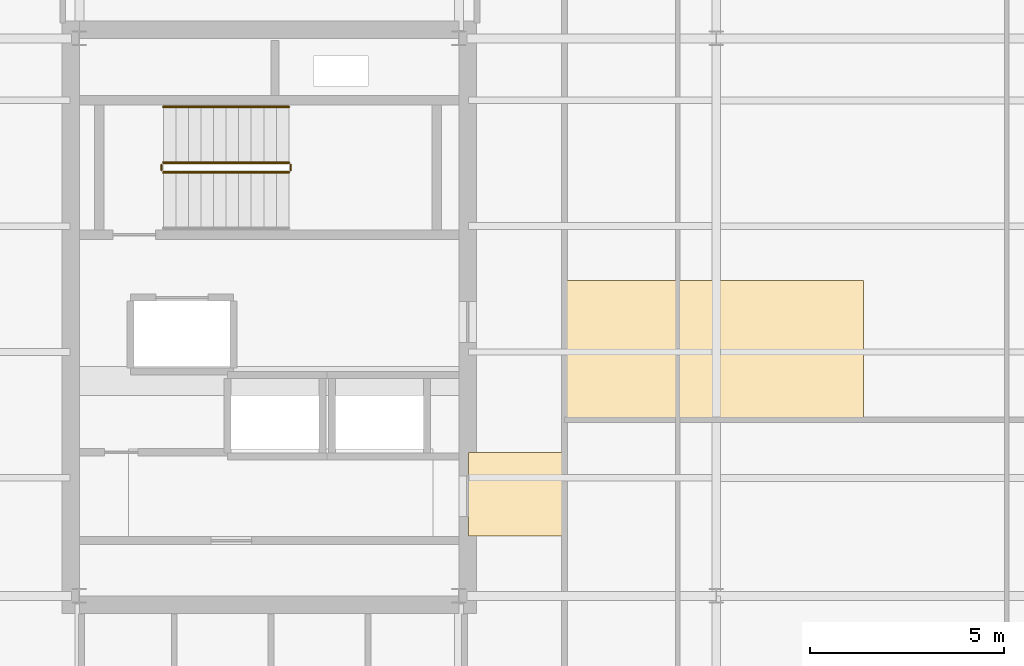
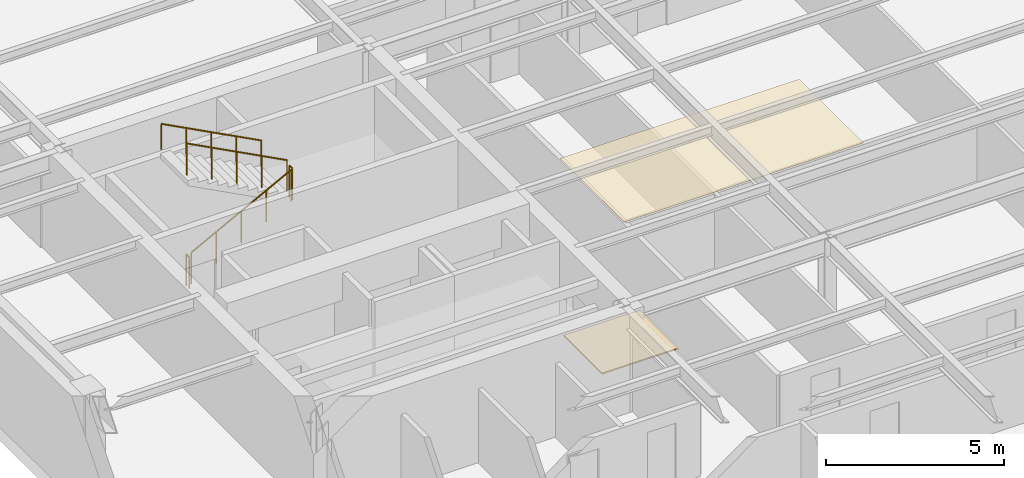
# One storey, part 12 of 14: 5 railings, 2 coverings.
"""IFC4 building model written with IfcOpenShell, lengths in metres."""

from ifc_helpers import new_model, si_unit, direction, frame, origin, origin_2d, place, context, subcontext, project, spatial, polyline, circle, outline, extrude, material, layer, layer_set, type_object, element, save


model = new_model("IFC4")

# Units and contexts
model_context = context("Model", 3, precision=1e-05, world=origin(), true_north=direction((0.0, 1.0)))
body_context = subcontext(model_context, "Body", "Model", "MODEL_VIEW")
ifc_project = project(units=[si_unit("LENGTHUNIT", "METRE"), si_unit("AREAUNIT", "SQUARE_METRE"), si_unit("VOLUMEUNIT", "CUBIC_METRE"), si_unit("PLANEANGLEUNIT", "RADIAN"), si_unit("MASSUNIT", "GRAM", prefix="KILO")], contexts=[model_context])

# Site, building, storey
site_placement = place(None, origin())
site = spatial("IfcSite", under=ifc_project, at=site_placement, CompositionType="ELEMENT")
building_placement = place(site_placement, origin())
building = spatial("IfcBuilding", under=site, at=building_placement, Name="Kolvaren Arena Tower", CompositionType="ELEMENT")
storey_placement = place(building_placement, frame((0.0, 0.0, 274.89990234375)))
storey = spatial("IfcBuildingStorey", under=building, at=storey_placement, Name="L67", CompositionType="ELEMENT", Elevation=274.89990234375)

# Coverings
ifc_material_1 = material(Name="Mineral fibre acoustic ceiling tile", Category="gypsum")
ifc_layer_1 = layer(ifc_material_1, 0.02490234375)
ifc_layer_set_1 = layer_set([ifc_layer_1], Name="Mineral fibre acoustic ceiling tile")
covering_type_1 = type_object("IfcCoveringType", Name="CEIL-ACT-1", PredefinedType="CEILING", material=ifc_layer_set_1)
covering_1_placement = place(storey_placement, frame((0.0, 0.0, 2.52001953125)))
element("IfcCovering", 1, at=covering_1_placement, inside=storey, type_object=covering_type_1, Name="Suspended Ceiling (L67)", PredefinedType="CEILING", context=body_context, shape_type="SweptSolid", body=[
    extrude(outline(polyline([(27.050048828125, 24.0), (27.050048828125, 27.60009765625), (34.800048828125, 27.60009765625), (34.800048828125, 24.0), (27.050048828125, 24.0)])), origin(), (0.0, 0.0, 1.0), 0.025146484375),
])
ifc_material_2 = material(Name="Raised access office floor finish", Category="aluminium")
ifc_layer_2 = layer(ifc_material_2, 0.044921875)
ifc_layer_set_2 = layer_set([ifc_layer_2], Name="Raised access office floor finish")
covering_type_2 = type_object("IfcCoveringType", Name="FLOR-RAF-1", PredefinedType="FLOORING", material=ifc_layer_set_2)
covering_2_placement = place(storey_placement, origin())
element("IfcCovering", 2, at=covering_2_placement, inside=storey, type_object=covering_type_2, Name="Floor Finish (L67)", PredefinedType="FLOORING", context=body_context, shape_type="SweptSolid", body=[
    extrude(outline(polyline([(24.60009765625, 21.0), (24.60009765625, 23.14990234375), (27.080078125, 23.14990234375), (27.080078125, 21.0), (24.60009765625, 21.0)])), origin(), (0.0, 0.0, 1.0), 0.045166015625),
])

# Railings
ifc_material_3 = material(Name="Painted galvanized steel", Category="steel")
railing_type_1 = type_object("IfcRailingType", Name="GUARD-ST-110", PredefinedType="GUARDRAIL", material=ifc_material_3)
railing_1_placement = place(storey_placement, frame((16.719970703125, 30.389892578125, 0.170654296875)))
element("IfcRailing", 3, at=railing_1_placement, inside=storey, type_object=railing_type_1, Name="L67 ST-W1 stair guard 1", PredefinedType="GUARDRAIL", context=body_context, shape_type="SweptSolid", body=[
    extrude(circle(Radius=0.02392578125, at=origin_2d()), frame((0.0, 0.0, 1.076171875), z_axis=(0.885020909582, 0.0, 0.465551274945), x_axis=(0.0, 1.0, 0.0)), (0.0, 0.0, 1.0), 3.660888671875),
    extrude(circle(Radius=0.02099609375, at=origin_2d()), origin(), (0.0, 0.0, 1.0), 1.052001953125),
    extrude(circle(Radius=0.02099609375, at=origin_2d()), frame((0.81005859375, 0.0, 0.426025390625)), (0.0, 0.0, 1.0), 1.052001953125),
    extrude(circle(Radius=0.02099609375, at=origin_2d()), frame((1.6201171875, 0.0, 0.85205078125)), (0.0, 0.0, 1.0), 1.052001953125),
    extrude(circle(Radius=0.02099609375, at=origin_2d()), frame((2.429931640625, 0.0, 1.2783203125)), (0.0, 0.0, 1.0), 1.052001953125),
    extrude(circle(Radius=0.02099609375, at=origin_2d()), frame((3.239990234375, 0.0, 1.704345703125)), (0.0, 0.0, 1.0), 1.052001953125),
])
railing_2_placement = place(storey_placement, frame((20.010009765625, 30.43994140625, 1.875)))
element("IfcRailing", 4, at=railing_2_placement, inside=storey, type_object=railing_type_1, Name="L67 ST-W1 stair guard 2", PredefinedType="GUARDRAIL", context=body_context, shape_type="SweptSolid", body=[
    extrude(circle(Radius=0.02392578125, at=origin_2d()), frame((0.0, 0.0, 1.076171875), z_axis=(0.0, 1.0, 0.0), x_axis=(-1.0, 0.0, 0.0)), (0.0, 0.0, 1.0), 0.150146484375),
    extrude(circle(Radius=0.02099609375, at=origin_2d()), origin(), (0.0, 0.0, 1.0), 1.052001953125),
    extrude(circle(Radius=0.02099609375, at=origin_2d()), frame((0.0, 0.150146484375, 0.0)), (0.0, 0.0, 1.0), 1.052001953125),
])
railing_3_placement = place(storey_placement, frame((19.9599609375, 30.639892578125, 2.045654296875)))
element("IfcRailing", 5, at=railing_3_placement, inside=storey, type_object=railing_type_1, Name="L67 ST-W1 stair guard 3", PredefinedType="GUARDRAIL", context=body_context, shape_type="SweptSolid", body=[
    extrude(circle(Radius=0.02392578125, at=origin_2d()), frame((0.0, 0.0, 1.076171875), z_axis=(-0.885020909582, 0.0, 0.465551274945), x_axis=(0.0, -1.0, 0.0)), (0.0, 0.0, 1.0), 3.660888671875),
    extrude(circle(Radius=0.02099609375, at=origin_2d()), origin(), (0.0, 0.0, 1.0), 1.052001953125),
    extrude(circle(Radius=0.02099609375, at=origin_2d()), frame((-0.81005859375, 0.0, 0.426025390625)), (0.0, 0.0, 1.0), 1.052001953125),
    extrude(circle(Radius=0.02099609375, at=origin_2d()), frame((-1.6201171875, 0.0, 0.85205078125)), (0.0, 0.0, 1.0), 1.052001953125),
    extrude(circle(Radius=0.02099609375, at=origin_2d()), frame((-2.429931640625, 0.0, 1.2783203125)), (0.0, 0.0, 1.0), 1.052001953125),
    extrude(circle(Radius=0.02099609375, at=origin_2d()), frame((-3.239990234375, 0.0, 1.704345703125)), (0.0, 0.0, 1.0), 1.052001953125),
])
railing_4_placement = place(storey_placement, frame((16.669921875, 30.43994140625, 0.0)))
element("IfcRailing", 6, at=railing_4_placement, inside=storey, type_object=railing_type_1, Name="L67 ST-W1 stair guard 4", PredefinedType="GUARDRAIL", context=body_context, shape_type="SweptSolid", body=[
    extrude(circle(Radius=0.02392578125, at=origin_2d()), frame((0.0, 0.0, 1.076171875), z_axis=(0.0, 1.0, 0.0), x_axis=(-1.0, 0.0, 0.0)), (0.0, 0.0, 1.0), 0.150146484375),
    extrude(circle(Radius=0.02099609375, at=origin_2d()), origin(), (0.0, 0.0, 1.0), 1.052001953125),
    extrude(circle(Radius=0.02099609375, at=origin_2d()), frame((0.0, 0.150146484375, 0.0)), (0.0, 0.0, 1.0), 1.052001953125),
])
ifc_material_4 = material(Name="Brushed stainless steel handrail", Category="steel")
railing_type_2 = type_object("IfcRailingType", Name="HRAIL-900", PredefinedType="HANDRAIL", material=ifc_material_4)
railing_5_placement = place(storey_placement, frame((19.9599609375, 32.080078125, 2.045654296875)))
element("IfcRailing", 7, at=railing_5_placement, inside=storey, type_object=railing_type_2, Name="L67 ST-W1 stair handrail 2", PredefinedType="HANDRAIL", context=body_context, shape_type="SweptSolid", body=[
    extrude(circle(Radius=0.02392578125, at=origin_2d()), frame((0.0, 0.0, 0.8759765625), z_axis=(-0.885020909582, 0.0, 0.465551274945), x_axis=(0.0, -1.0, 0.0)), (0.0, 0.0, 1.0), 3.660888671875),
    extrude(circle(Radius=0.02099609375, at=origin_2d()), origin(), (0.0, 0.0, 1.0), 0.851806640625),
    extrude(circle(Radius=0.02099609375, at=origin_2d()), frame((-0.81005859375, 0.0, 0.426025390625)), (0.0, 0.0, 1.0), 0.851806640625),
    extrude(circle(Radius=0.02099609375, at=origin_2d()), frame((-1.6201171875, 0.0, 0.85205078125)), (0.0, 0.0, 1.0), 0.851806640625),
    extrude(circle(Radius=0.02099609375, at=origin_2d()), frame((-2.429931640625, 0.0, 1.2783203125)), (0.0, 0.0, 1.0), 0.851806640625),
    extrude(circle(Radius=0.02099609375, at=origin_2d()), frame((-3.239990234375, 0.0, 1.704345703125)), (0.0, 0.0, 1.0), 0.851806640625),
])

save(model, "model.ifc")
